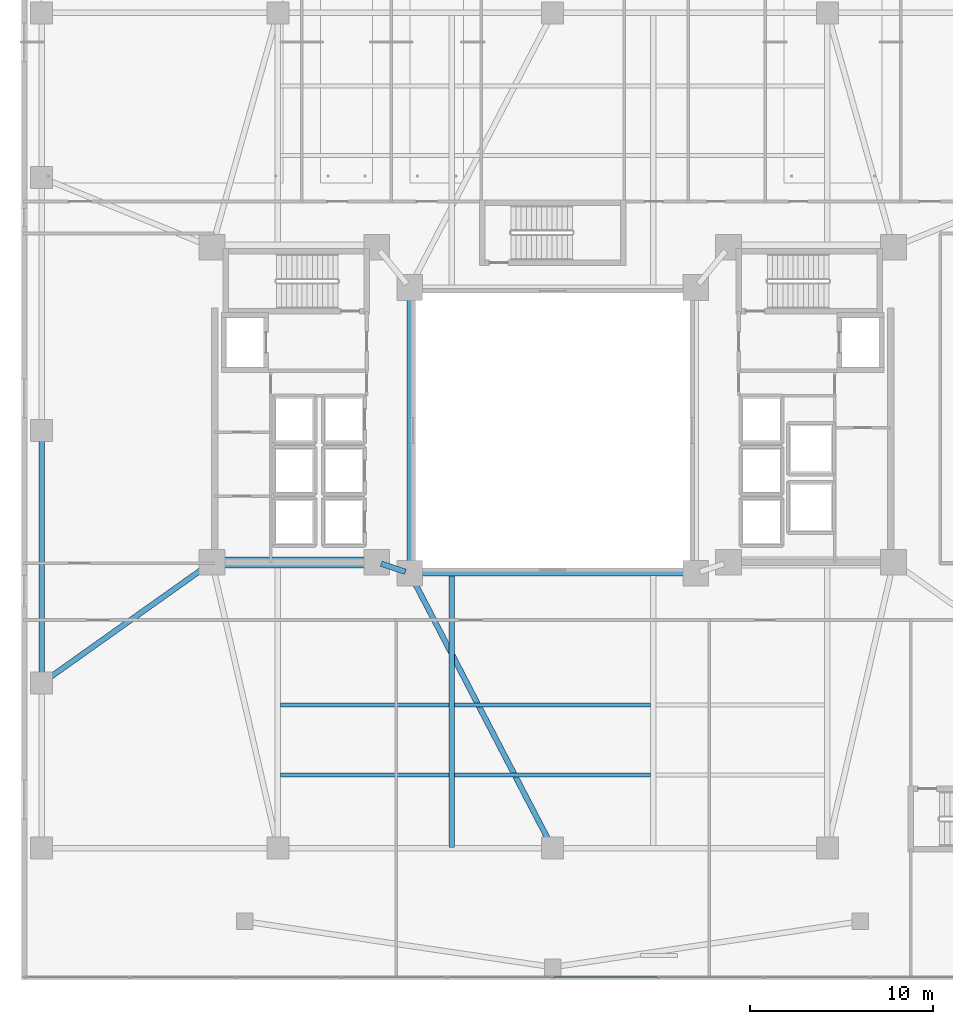
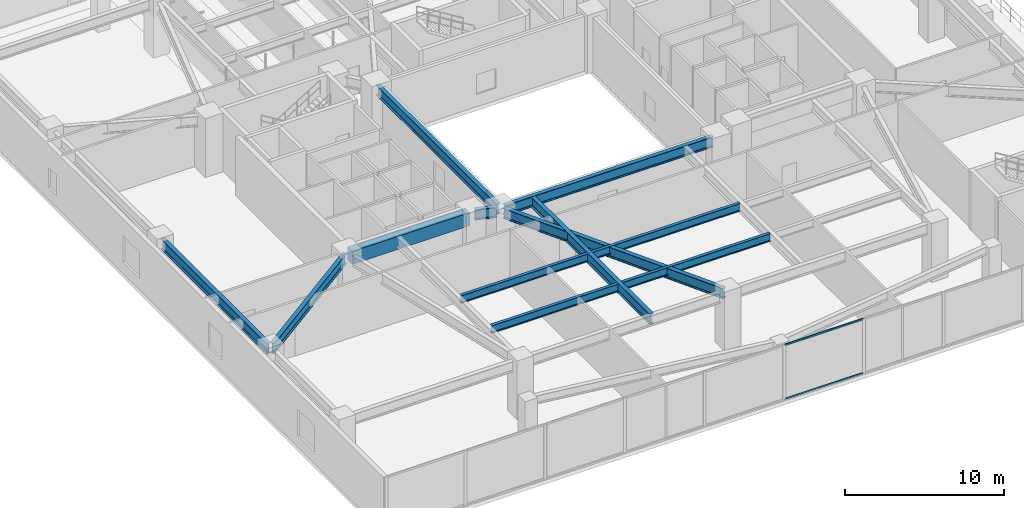
# One storey, part 5 of 27: 12 beams, 2 members, 1 element without a shape of its own.
"""IFC4 building model written with IfcOpenShell, lengths in metres."""

from ifc_helpers import new_model, si_unit, direction, frame, origin, origin_2d, place, context, subcontext, project, spatial, rectangle, hollow_rectangle, i_section, extrude, material, layer, layer_set, material_profile, profile_set, type_object, element, aggregate, save


model = new_model("IFC4")

# Units and contexts
model_context = context("Model", 3, precision=1e-05, world=origin(), true_north=direction((0.0, 1.0)))
body_context = subcontext(model_context, "Body", "Model", "MODEL_VIEW")
ifc_project = project(units=[si_unit("LENGTHUNIT", "METRE"), si_unit("AREAUNIT", "SQUARE_METRE"), si_unit("VOLUMEUNIT", "CUBIC_METRE"), si_unit("PLANEANGLEUNIT", "RADIAN"), si_unit("MASSUNIT", "GRAM", prefix="KILO")], contexts=[model_context])

# Site, building, storey
site_placement = place(None, origin())
site = spatial("IfcSite", under=ifc_project, at=site_placement, CompositionType="ELEMENT")
building_placement = place(site_placement, origin())
building = spatial("IfcBuilding", under=site, at=building_placement, Name="Tarnavaz Court Tower", CompositionType="ELEMENT")
storey_placement = place(building_placement, frame((0.0, 0.0, 9.89990234375)))
storey = spatial("IfcBuildingStorey", under=building, at=storey_placement, Name="L02", CompositionType="ELEMENT", Elevation=9.89990234375)

# Beams
ifc_material_1 = material(Name="Concrete C60/75", Category="concrete")
ifc_material_profile_1 = material_profile(ifc_material_1, rectangle(XDim=0.60009765625, YDim=1.0, at=origin_2d()), Name="RC 600X1000")
ifc_profile_set_1 = profile_set([ifc_material_profile_1], Name="Concrete C60/75")
beam_type_1 = type_object("IfcBeamType", Name="BM-CB1000", PredefinedType="LINTEL", material=ifc_profile_set_1)
beam_1_placement = place(storey_placement, frame((-18.35009765625, -7.199951171875, 3.7001953125), z_axis=(1.0, 0.0, 0.0), x_axis=(0.0, 1.0, 0.0)))
element("IfcBeam", 1, at=beam_1_placement, inside=storey, type_object=beam_type_1, Name="L02 Beam CW-SO-CW-SI", PredefinedType="LINTEL", context=body_context, shape_type="SweptSolid", body=[
    extrude(rectangle(XDim=0.60009765625, YDim=1.0, at=origin_2d()), origin(), (0.0, 0.0, 1.0), 8.5),
])
ifc_material_2 = material(Name="Steel S355", Category="steel")
ifc_material_profile_2 = material_profile(ifc_material_2, i_section(OverallWidth=0.300048828125, OverallDepth=0.800048828125, WebThickness=0.017578125, FlangeThickness=0.032958984375, FilletRadius=0.030029296875, at=origin_2d()), Name="HEB 800")
ifc_profile_set_2 = profile_set([ifc_material_profile_2], Name="Steel S355")
beam_type_2 = type_object("IfcBeamType", Name="BM-G-HEB800", PredefinedType="USERDEFINED", material=ifc_profile_set_2)
for number, where, z_axis, x_axis, name in (
    (2, (-7.550048828125, -7.800048828125, 3.800048828125), (1.0, 0.0, 0.0), (0.0, 1.0, 0.0), "L02 Beam IW-SW-IW-SE"),
    (3, (-7.800048828125, -7.550048828125, 3.800048828125), (0.0, 1.0, 0.0), (-1.0, 0.0, 0.0), "L02 Beam IW-SW-IW-NW"),
):
    element("IfcBeam", number, at=place(storey_placement, frame(where, z_axis=z_axis, x_axis=x_axis)), inside=storey, type_object=beam_type_2, Name=name, ObjectType="GIRDER", PredefinedType="USERDEFINED", context=body_context, shape_type="SweptSolid", body=[
        extrude(i_section(OverallWidth=0.300048828125, OverallDepth=0.800048828125, WebThickness=0.017578125, FlangeThickness=0.032958984375, FilletRadius=0.030029296875, at=origin_2d()), origin(), (0.0, 0.0, 1.0), 15.10009765625),
    ])
beam_2_placement = place(storey_placement, frame((-9.36279296875, -7.279052734375, 3.800048828125), z_axis=(0.948683298051, -0.316227766017, 0.0), x_axis=(0.316227766017, 0.948683298051, 0.0)))
element("IfcBeam", 4, at=beam_2_placement, inside=storey, type_object=beam_type_2, Name="L02 Beam CW-SI-IW-SW", ObjectType="GIRDER", PredefinedType="USERDEFINED", context=body_context, shape_type="SweptSolid", body=[
    extrude(i_section(OverallWidth=0.300048828125, OverallDepth=0.800048828125, WebThickness=0.017578125, FlangeThickness=0.032958984375, FilletRadius=0.030029296875, at=origin_2d()), origin(), (0.0, 0.0, 1.0), 1.3974609375),
])
beam_3_placement = place(storey_placement, frame((-27.89990234375, -13.550048828125, 3.800048828125), z_axis=(0.0, 1.0, 0.0), x_axis=(-1.0, 0.0, 0.0)))
element("IfcBeam", 5, at=beam_3_placement, inside=storey, type_object=beam_type_2, Name="L02 Beam PM-PM-W1-PM-W2", ObjectType="GIRDER", PredefinedType="USERDEFINED", context=body_context, shape_type="SweptSolid", body=[
    extrude(i_section(OverallWidth=0.300048828125, OverallDepth=0.800048828125, WebThickness=0.017578125, FlangeThickness=0.032958984375, FilletRadius=0.030029296875, at=origin_2d()), origin(), (0.0, 0.0, 1.0), 13.300048828125),
])
beam_4_placement = place(storey_placement, frame((-7.684814453125, -8.021728515625, 3.800048828125), z_axis=(0.461364918236, -0.887210466699, 0.0), x_axis=(0.887210466699, 0.461364918236, 0.0)))
element("IfcBeam", 6, at=beam_4_placement, inside=storey, type_object=beam_type_2, Name="L02 Beam PM-IW-SW-PM-S2", ObjectType="GIRDER", PredefinedType="USERDEFINED", context=body_context, shape_type="SweptSolid", body=[
    extrude(i_section(OverallWidth=0.300048828125, OverallDepth=0.800048828125, WebThickness=0.017578125, FlangeThickness=0.032958984375, FilletRadius=0.030029296875, at=origin_2d()), origin(), (0.0, 0.0, 1.0), 16.406982421875),
])
beam_5_placement = place(storey_placement, frame((-18.803955078125, -7.3447265625, 3.800048828125), z_axis=(-0.815505781161, -0.578748927336, 0.0), x_axis=(0.578748927336, -0.815505781161, 0.0)))
element("IfcBeam", 7, at=beam_5_placement, inside=storey, type_object=beam_type_2, Name="L02 Beam PM-CW-SO-PM-W1", ObjectType="GIRDER", PredefinedType="USERDEFINED", context=body_context, shape_type="SweptSolid", body=[
    extrude(i_section(OverallWidth=0.300048828125, OverallDepth=0.800048828125, WebThickness=0.017578125, FlangeThickness=0.032958984375, FilletRadius=0.030029296875, at=origin_2d()), origin(), (0.0, 0.0, 1.0), 10.90380859375),
])
beam_6_placement = place(storey_placement, frame((-5.5, -7.840087890625, 3.800048828125), z_axis=(0.0, -1.0, 0.0), x_axis=(1.0, 0.0, 0.0)))
element("IfcBeam", 8, at=beam_6_placement, inside=storey, type_object=beam_type_2, Name="L02 Beam PM-NS-SCW", ObjectType="GIRDER", PredefinedType="USERDEFINED", context=body_context, shape_type="SweptSolid", body=[
    extrude(i_section(OverallWidth=0.300048828125, OverallDepth=0.800048828125, WebThickness=0.017578125, FlangeThickness=0.032958984375, FilletRadius=0.030029296875, at=origin_2d()), origin(), (0.0, 0.0, 1.0), 14.919921875),
])
ifc_material_profile_3 = material_profile(ifc_material_2, i_section(OverallWidth=0.219970703125, OverallDepth=0.60009765625, WebThickness=0.011962890625, FlangeThickness=0.01904296875, FilletRadius=0.02392578125, at=origin_2d()), Name="IPE 600")
ifc_profile_set_3 = profile_set([ifc_material_profile_3], Name="Steel S355")
beam_type_3 = type_object("IfcBeamType", Name="BM-J-IPE600", PredefinedType="JOIST", material=ifc_profile_set_3)
beam_7_placement = place(storey_placement, frame((-14.85009765625, -15.0, 3.900146484375), z_axis=(1.0, 0.0, 0.0), x_axis=(0.0, 1.0, 0.0)))
element("IfcBeam", 9, at=beam_7_placement, inside=storey, type_object=beam_type_3, Name="L02 Beam PJS-1-1", PredefinedType="JOIST", context=body_context, shape_type="SweptSolid", body=[
    extrude(i_section(OverallWidth=0.219970703125, OverallDepth=0.60009765625, WebThickness=0.011962890625, FlangeThickness=0.01904296875, FilletRadius=0.02392578125, at=origin_2d()), origin(), (0.0, 0.0, 1.0), 9.2001953125),
])
beam_8_placement = place(storey_placement, frame((-5.35009765625, -15.0, 3.900146484375), z_axis=(1.0, 0.0, 0.0), x_axis=(0.0, 1.0, 0.0)))
element("IfcBeam", 10, at=beam_8_placement, inside=storey, type_object=beam_type_3, Name="L02 Beam PJS-1-2", PredefinedType="JOIST", context=body_context, shape_type="SweptSolid", body=[
    extrude(i_section(OverallWidth=0.219970703125, OverallDepth=0.60009765625, WebThickness=0.011962890625, FlangeThickness=0.01904296875, FilletRadius=0.02392578125, at=origin_2d()), origin(), (0.0, 0.0, 1.0), 10.7001953125),
])
beam_9_placement = place(storey_placement, frame((-14.85009765625, -18.800048828125, 3.900146484375), z_axis=(1.0, 0.0, 0.0), x_axis=(0.0, 1.0, 0.0)))
element("IfcBeam", 11, at=beam_9_placement, inside=storey, type_object=beam_type_3, Name="L02 Beam PJS-2-1", PredefinedType="JOIST", context=body_context, shape_type="SweptSolid", body=[
    extrude(i_section(OverallWidth=0.219970703125, OverallDepth=0.60009765625, WebThickness=0.011962890625, FlangeThickness=0.01904296875, FilletRadius=0.02392578125, at=origin_2d()), origin(), (0.0, 0.0, 1.0), 9.2001953125),
])
beam_10_placement = place(storey_placement, frame((-5.35009765625, -18.800048828125, 3.900146484375), z_axis=(1.0, 0.0, 0.0), x_axis=(0.0, 1.0, 0.0)))
element("IfcBeam", 12, at=beam_10_placement, inside=storey, type_object=beam_type_3, Name="L02 Beam PJS-2-2", PredefinedType="JOIST", context=body_context, shape_type="SweptSolid", body=[
    extrude(i_section(OverallWidth=0.219970703125, OverallDepth=0.60009765625, WebThickness=0.011962890625, FlangeThickness=0.01904296875, FilletRadius=0.02392578125, at=origin_2d()), origin(), (0.0, 0.0, 1.0), 10.7001953125),
])

# Curtain wall, members
ifc_material_3 = material(Name="Anodised Aluminium 6063-T6 and Solar Low-E Glazing", Category="aluminium")
ifc_layer = layer(ifc_material_3, 0.18994140625)
ifc_layer_set = layer_set([ifc_layer], Name="Anodised Aluminium 6063-T6 and Solar Low-E Glazing")
curtain_wall_type = type_object("IfcCurtainWallType", Name="CW-SYS-01", PredefinedType="NOTDEFINED", material=ifc_layer_set)
curtain_wall_placement = place(storey_placement, origin())
curtain_wall = element("IfcCurtainWall", 13, at=curtain_wall_placement, inside=storey, type_object=curtain_wall_type, Name="L02 Clinic South Curtain Wall 3", PredefinedType="NOTDEFINED")
ifc_material_4 = material(Name="Anodised Aluminium 6063-T6", Category="aluminium")
ifc_material_profile_4 = material_profile(ifc_material_4, hollow_rectangle(XDim=0.06494140625, YDim=0.139892578125, WallThickness=0.00390625, InnerFilletRadius=0.00390625, OuterFilletRadius=0.008056640625, at=origin_2d()), Name="ALU RHS 140X65X4")
ifc_profile_set_4 = profile_set([ifc_material_profile_4], Name="Anodised Aluminium 6063-T6")
member_type = type_object("IfcMemberType", Name="CW-TRN-140", PredefinedType="USERDEFINED", material=ifc_profile_set_4)
member_1_placement = place(storey_placement, frame((5.7275390625, -29.85009765625, 0.03271484375), z_axis=(-1.0, 0.0, 0.0), x_axis=(0.0, -1.0, 0.0)))
member_1 = element("IfcMember", 14, at=member_1_placement, type_object=member_type, Name="CW transom 5.1", ObjectType="TRANSOM", PredefinedType="USERDEFINED", context=body_context, shape_type="SweptSolid", body=[
    extrude(hollow_rectangle(XDim=0.06494140625, YDim=0.139892578125, WallThickness=0.00390625, InnerFilletRadius=0.00390625, OuterFilletRadius=0.008056640625, at=origin_2d()), origin(), (0.0, 0.0, 1.0), 5.68505859375),
])
member_2_placement = place(storey_placement, frame((5.7275390625, -29.85009765625, 4.16748046875), z_axis=(-1.0, 0.0, 0.0), x_axis=(0.0, -1.0, 0.0)))
member_2 = element("IfcMember", 15, at=member_2_placement, type_object=member_type, Name="CW transom 5.2", ObjectType="TRANSOM", PredefinedType="USERDEFINED", context=body_context, shape_type="SweptSolid", body=[
    extrude(hollow_rectangle(XDim=0.06494140625, YDim=0.139892578125, WallThickness=0.00390625, InnerFilletRadius=0.00390625, OuterFilletRadius=0.008056640625, at=origin_2d()), origin(), (0.0, 0.0, 1.0), 5.68505859375),
])
aggregate(curtain_wall, [member_1, member_2])

save(model, "model.ifc")
